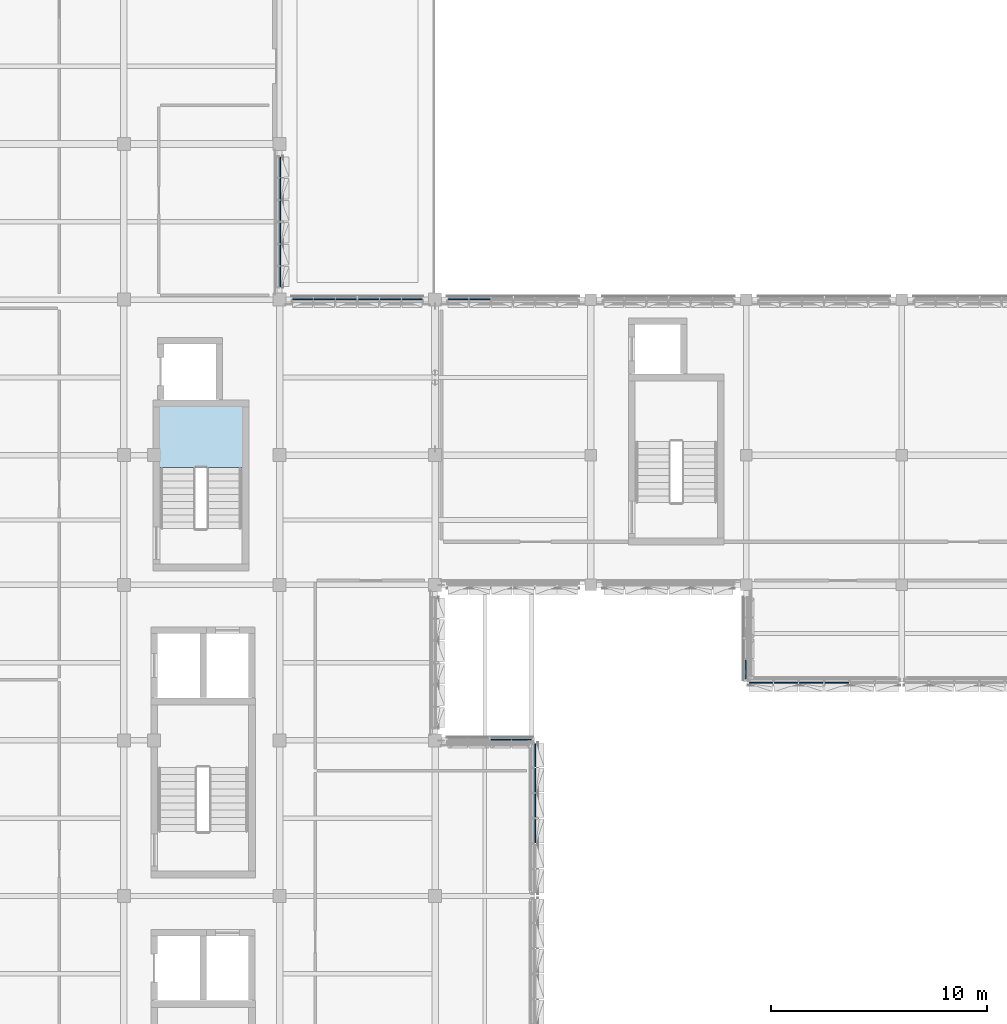
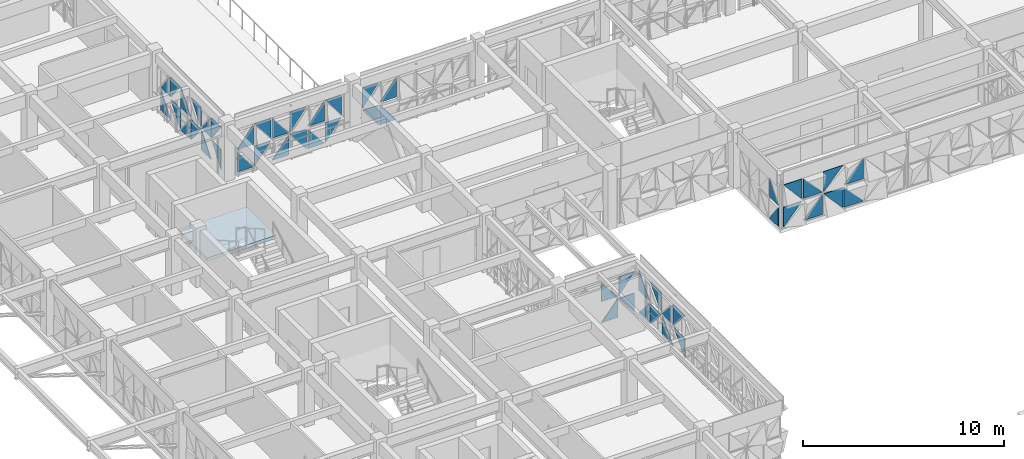
# One storey, part 37 of 99: 50 plates, 1 slab, 8 elements without a shape of their own.
"""IFC4 building model written with IfcOpenShell, lengths in metres."""

from ifc_helpers import new_model, si_unit, direction, frame, origin, place, context, subcontext, project, spatial, polyline, outline, extrude, material, layer, layer_set, type_object, element, aggregate, save


model = new_model("IFC4")

# Units and contexts
model_context = context("Model", 3, precision=1e-05, world=origin(), true_north=direction((0.0, 1.0)))
body_context = subcontext(model_context, "Body", "Model", "MODEL_VIEW")
ifc_project = project(units=[si_unit("LENGTHUNIT", "METRE"), si_unit("AREAUNIT", "SQUARE_METRE"), si_unit("VOLUMEUNIT", "CUBIC_METRE"), si_unit("PLANEANGLEUNIT", "RADIAN"), si_unit("MASSUNIT", "GRAM", prefix="KILO")], contexts=[model_context])

# Site, building, storey
site_placement = place(None, origin())
site = spatial("IfcSite", under=ifc_project, at=site_placement, CompositionType="ELEMENT")
building_placement = place(site_placement, origin())
building = spatial("IfcBuilding", under=site, at=building_placement, Name="Alvorim Cloister Faculty of Sciences", CompositionType="ELEMENT")
storey_placement = place(building_placement, frame((0.0, 0.0, 12.14990234375)))
storey = spatial("IfcBuildingStorey", under=building, at=storey_placement, Name="L03", CompositionType="ELEMENT", Elevation=12.14990234375)

# Curtain wall, plates
ifc_material_1 = material(Name="Aluminium and Low-E Glass Curtain Wall", Category="aluminium")
curtain_wall_type_1 = type_object("IfcCurtainWallType", Name="CW-TRI-6120x2850", PredefinedType="USERDEFINED", material=ifc_material_1)
curtain_wall_1_placement = place(storey_placement, origin())
curtain_wall_1 = element("IfcCurtainWall", 1, at=curtain_wall_1_placement, inside=storey, type_object=curtain_wall_type_1, Name="L03 Diagonal Cassette Curtain Wall CW-0123", ObjectType="UNITISED CURTAIN WALL", PredefinedType="USERDEFINED")
ifc_material_2 = material(Name="Double Low-E Laminated Glass", Category="glass")
ifc_layer_1 = layer(ifc_material_2, 0.0400390625)
ifc_layer_set_1 = layer_set([ifc_layer_1], Name="Double Low-E Laminated Glass")
plate_type = type_object("IfcPlateType", Name="PN-GLZ-40", PredefinedType="CURTAIN_PANEL", material=ifc_layer_set_1)
plate_1_placement = place(storey_placement, frame((21.625, 57.0048828125, 0.14013671875), z_axis=(0.0, 0.0, 1.0), x_axis=(0.0, 1.0, 0.0)))
plate_1 = element("IfcPlate", 2, at=plate_1_placement, type_object=plate_type, Name="Diagonal Glazed Triangle TRI-TL", PredefinedType="CURTAIN_PANEL", context=body_context, shape_type="SweptSolid", body=[
    extrude(outline(polyline([(0.920654296875, 1.21484375), (0.0, 1.21484375), (0.0, 0.001953125), (0.920654296875, 1.21484375)])), frame((0.0, 0.02490234375, 0.0), z_axis=(0.0, -1.0, 0.0), x_axis=(1.0, 0.0, 0.0)), (0.0, 0.0, 1.0), 0.050048828125),
])
plate_2_placement = place(storey_placement, frame((21.625, 57.0048828125, 1.4951171875), z_axis=(0.0, 0.0, 1.0), x_axis=(0.0, 1.0, 0.0)))
plate_2 = element("IfcPlate", 3, at=plate_2_placement, type_object=plate_type, Name="Diagonal Glazed Triangle TRI-TR", PredefinedType="CURTAIN_PANEL", context=body_context, shape_type="SweptSolid", body=[
    extrude(outline(polyline([(0.922607421875, 0.001953125), (0.922607421875, 1.215087890625), (0.001953125, 1.215087890625), (0.922607421875, 0.001953125)])), frame((0.0, 0.02490234375, 0.0), z_axis=(0.0, -1.0, 0.0), x_axis=(1.0, 0.0, 0.0)), (0.0, 0.0, 1.0), 0.050048828125),
])
plate_3_placement = place(storey_placement, frame((21.625, 57.992431640625, 0.14013671875), z_axis=(0.0, 0.0, 1.0), x_axis=(0.0, 1.0, 0.0)))
plate_3 = element("IfcPlate", 4, at=plate_3_placement, type_object=plate_type, Name="Diagonal Glazed Triangle TRI-BR", PredefinedType="CURTAIN_PANEL", context=body_context, shape_type="SweptSolid", body=[
    extrude(outline(polyline([(0.001953125, 0.0), (0.955078125, 0.0), (0.955078125, 1.212890625), (0.001953125, 0.0)])), frame((0.0, 0.02490234375, 0.0), z_axis=(0.0, -1.0, 0.0), x_axis=(1.0, 0.0, 0.0)), (0.0, 0.0, 1.0), 0.050048828125),
])
plate_4_placement = place(storey_placement, frame((21.625, 57.992431640625, 1.4951171875), z_axis=(0.0, 0.0, 1.0), x_axis=(0.0, 1.0, 0.0)))
plate_4 = element("IfcPlate", 5, at=plate_4_placement, type_object=plate_type, Name="Diagonal Glazed Triangle TRI-BL", PredefinedType="CURTAIN_PANEL", context=body_context, shape_type="SweptSolid", body=[
    extrude(outline(polyline([(0.0, 0.0), (0.953125, 0.0), (0.0, 1.213134765625), (0.0, 0.0)])), frame((0.0, 0.02490234375, 0.0), z_axis=(0.0, -1.0, 0.0), x_axis=(1.0, 0.0, 0.0)), (0.0, 0.0, 1.0), 0.050048828125),
])
plate_5_placement = place(storey_placement, frame((21.625, 59.012451171875, 0.14013671875), z_axis=(0.0, 0.0, 1.0), x_axis=(0.0, 1.0, 0.0)))
plate_5 = element("IfcPlate", 6, at=plate_5_placement, type_object=plate_type, Name="Diagonal Glazed Triangle TRI-TR", PredefinedType="CURTAIN_PANEL", context=body_context, shape_type="SweptSolid", body=[
    extrude(outline(polyline([(0.955078125, 0.001953125), (0.955078125, 1.21484375), (0.001953125, 1.21484375), (0.955078125, 0.001953125)])), frame((0.0, 0.02490234375, 0.0), z_axis=(0.0, -1.0, 0.0), x_axis=(1.0, 0.0, 0.0)), (0.0, 0.0, 1.0), 0.050048828125),
])
plate_6_placement = place(storey_placement, frame((21.625, 59.012451171875, 1.4951171875), z_axis=(0.0, 0.0, 1.0), x_axis=(0.0, 1.0, 0.0)))
plate_6 = element("IfcPlate", 7, at=plate_6_placement, type_object=plate_type, Name="Diagonal Glazed Triangle TRI-TL", PredefinedType="CURTAIN_PANEL", context=body_context, shape_type="SweptSolid", body=[
    extrude(outline(polyline([(0.953125, 1.215087890625), (0.0, 1.215087890625), (0.0, 0.001953125), (0.953125, 1.215087890625)])), frame((0.0, 0.02490234375, 0.0), z_axis=(0.0, -1.0, 0.0), x_axis=(1.0, 0.0, 0.0)), (0.0, 0.0, 1.0), 0.050048828125),
])
plate_7_placement = place(storey_placement, frame((21.625, 60.032470703125, 0.14013671875), z_axis=(0.0, 0.0, 1.0), x_axis=(0.0, 1.0, 0.0)))
plate_7 = element("IfcPlate", 8, at=plate_7_placement, type_object=plate_type, Name="Diagonal Glazed Triangle TRI-BL", PredefinedType="CURTAIN_PANEL", context=body_context, shape_type="SweptSolid", body=[
    extrude(outline(polyline([(0.0, 0.0), (0.953125, 0.0), (0.0, 1.212890625), (0.0, 0.0)])), frame((0.0, 0.02490234375, 0.0), z_axis=(0.0, -1.0, 0.0), x_axis=(1.0, 0.0, 0.0)), (0.0, 0.0, 1.0), 0.050048828125),
])
plate_8_placement = place(storey_placement, frame((21.625, 60.032470703125, 1.4951171875), z_axis=(0.0, 0.0, 1.0), x_axis=(0.0, 1.0, 0.0)))
plate_8 = element("IfcPlate", 9, at=plate_8_placement, type_object=plate_type, Name="Diagonal Glazed Triangle TRI-BR", PredefinedType="CURTAIN_PANEL", context=body_context, shape_type="SweptSolid", body=[
    extrude(outline(polyline([(0.001953125, 0.0), (0.955078125, 0.0), (0.955078125, 1.213134765625), (0.001953125, 0.0)])), frame((0.0, 0.02490234375, 0.0), z_axis=(0.0, -1.0, 0.0), x_axis=(1.0, 0.0, 0.0)), (0.0, 0.0, 1.0), 0.050048828125),
])
plate_9_placement = place(storey_placement, frame((21.625, 61.052490234375, 0.14013671875), z_axis=(0.0, 0.0, 1.0), x_axis=(0.0, 1.0, 0.0)))
plate_9 = element("IfcPlate", 10, at=plate_9_placement, type_object=plate_type, Name="Diagonal Glazed Triangle TRI-TL", PredefinedType="CURTAIN_PANEL", context=body_context, shape_type="SweptSolid", body=[
    extrude(outline(polyline([(0.953125, 1.21484375), (0.0, 1.21484375), (0.0, 0.001953125), (0.953125, 1.21484375)])), frame((0.0, 0.02490234375, 0.0), z_axis=(0.0, -1.0, 0.0), x_axis=(1.0, 0.0, 0.0)), (0.0, 0.0, 1.0), 0.050048828125),
])
plate_10_placement = place(storey_placement, frame((21.625, 61.052490234375, 1.4951171875), z_axis=(0.0, 0.0, 1.0), x_axis=(0.0, 1.0, 0.0)))
plate_10 = element("IfcPlate", 11, at=plate_10_placement, type_object=plate_type, Name="Diagonal Glazed Triangle TRI-TR", PredefinedType="CURTAIN_PANEL", context=body_context, shape_type="SweptSolid", body=[
    extrude(outline(polyline([(0.955078125, 0.001953125), (0.955078125, 1.215087890625), (0.001953125, 1.215087890625), (0.955078125, 0.001953125)])), frame((0.0, 0.02490234375, 0.0), z_axis=(0.0, -1.0, 0.0), x_axis=(1.0, 0.0, 0.0)), (0.0, 0.0, 1.0), 0.050048828125),
])
plate_11_placement = place(storey_placement, frame((21.625, 62.072509765625, 0.14013671875), z_axis=(0.0, 0.0, 1.0), x_axis=(0.0, 1.0, 0.0)))
plate_11 = element("IfcPlate", 12, at=plate_11_placement, type_object=plate_type, Name="Diagonal Glazed Triangle TRI-BR", PredefinedType="CURTAIN_PANEL", context=body_context, shape_type="SweptSolid", body=[
    extrude(outline(polyline([(0.001953125, 0.0), (0.922607421875, 0.0), (0.922607421875, 1.212890625), (0.001953125, 0.0)])), frame((0.0, 0.02490234375, 0.0), z_axis=(0.0, -1.0, 0.0), x_axis=(1.0, 0.0, 0.0)), (0.0, 0.0, 1.0), 0.050048828125),
])
plate_12_placement = place(storey_placement, frame((21.625, 62.072509765625, 1.4951171875), z_axis=(0.0, 0.0, 1.0), x_axis=(0.0, 1.0, 0.0)))
plate_12 = element("IfcPlate", 13, at=plate_12_placement, type_object=plate_type, Name="Diagonal Glazed Triangle TRI-BL", PredefinedType="CURTAIN_PANEL", context=body_context, shape_type="SweptSolid", body=[
    extrude(outline(polyline([(0.0, 0.0), (0.920654296875, 0.0), (0.0, 1.213134765625), (0.0, 0.0)])), frame((0.0, 0.02490234375, 0.0), z_axis=(0.0, -1.0, 0.0), x_axis=(1.0, 0.0, 0.0)), (0.0, 0.0, 1.0), 0.050048828125),
])
aggregate(curtain_wall_1, [plate_1, plate_2, plate_3, plate_4, plate_5, plate_6, plate_7, plate_8, plate_9, plate_10, plate_11, plate_12])

curtain_wall_2_placement = place(storey_placement, origin())
curtain_wall_2 = element("IfcCurtainWall", 14, at=curtain_wall_2_placement, inside=storey, type_object=curtain_wall_type_1, Name="L03 Diagonal Cassette Curtain Wall CW-0124", ObjectType="UNITISED CURTAIN WALL", PredefinedType="USERDEFINED")
plate_13_placement = place(storey_placement, frame((22.205078125, 56.425048828125, 0.14013671875), z_axis=(0.0, 0.0, 1.0), x_axis=(1.0, 0.0, 0.0)))
plate_13 = element("IfcPlate", 15, at=plate_13_placement, type_object=plate_type, Name="Diagonal Glazed Triangle TRI-BL", PredefinedType="CURTAIN_PANEL", context=body_context, shape_type="SweptSolid", body=[
    extrude(outline(polyline([(0.0, 0.0), (0.920654296875, 0.0), (0.0, 1.212890625), (0.0, 0.0)])), frame((0.0, 0.02490234375, 0.0), z_axis=(0.0, -1.0, 0.0), x_axis=(1.0, 0.0, 0.0)), (0.0, 0.0, 1.0), 0.050048828125),
])
plate_14_placement = place(storey_placement, frame((22.205078125, 56.425048828125, 1.4951171875), z_axis=(0.0, 0.0, 1.0), x_axis=(1.0, 0.0, 0.0)))
plate_14 = element("IfcPlate", 16, at=plate_14_placement, type_object=plate_type, Name="Diagonal Glazed Triangle TRI-BR", PredefinedType="CURTAIN_PANEL", context=body_context, shape_type="SweptSolid", body=[
    extrude(outline(polyline([(0.001953125, 0.0), (0.922607421875, 0.0), (0.922607421875, 1.213134765625), (0.001953125, 0.0)])), frame((0.0, 0.02490234375, 0.0), z_axis=(0.0, -1.0, 0.0), x_axis=(1.0, 0.0, 0.0)), (0.0, 0.0, 1.0), 0.050048828125),
])
plate_15_placement = place(storey_placement, frame((23.1923828125, 56.425048828125, 0.14013671875), z_axis=(0.0, 0.0, 1.0), x_axis=(1.0, 0.0, 0.0)))
plate_15 = element("IfcPlate", 17, at=plate_15_placement, type_object=plate_type, Name="Diagonal Glazed Triangle TRI-TL", PredefinedType="CURTAIN_PANEL", context=body_context, shape_type="SweptSolid", body=[
    extrude(outline(polyline([(0.953125, 1.21484375), (0.0, 1.21484375), (0.0, 0.001953125), (0.953125, 1.21484375)])), frame((0.0, 0.02490234375, 0.0), z_axis=(0.0, -1.0, 0.0), x_axis=(1.0, 0.0, 0.0)), (0.0, 0.0, 1.0), 0.050048828125),
])
plate_16_placement = place(storey_placement, frame((23.1923828125, 56.425048828125, 1.4951171875), z_axis=(0.0, 0.0, 1.0), x_axis=(1.0, 0.0, 0.0)))
plate_16 = element("IfcPlate", 18, at=plate_16_placement, type_object=plate_type, Name="Diagonal Glazed Triangle TRI-TR", PredefinedType="CURTAIN_PANEL", context=body_context, shape_type="SweptSolid", body=[
    extrude(outline(polyline([(0.955078125, 0.001953125), (0.955078125, 1.215087890625), (0.001953125, 1.215087890625), (0.955078125, 0.001953125)])), frame((0.0, 0.02490234375, 0.0), z_axis=(0.0, -1.0, 0.0), x_axis=(1.0, 0.0, 0.0)), (0.0, 0.0, 1.0), 0.050048828125),
])
plate_17_placement = place(storey_placement, frame((24.21240234375, 56.425048828125, 0.14013671875), z_axis=(0.0, 0.0, 1.0), x_axis=(1.0, 0.0, 0.0)))
plate_17 = element("IfcPlate", 19, at=plate_17_placement, type_object=plate_type, Name="Diagonal Glazed Triangle TRI-BR", PredefinedType="CURTAIN_PANEL", context=body_context, shape_type="SweptSolid", body=[
    extrude(outline(polyline([(0.001953125, 0.0), (0.955078125, 0.0), (0.955078125, 1.212890625), (0.001953125, 0.0)])), frame((0.0, 0.02490234375, 0.0), z_axis=(0.0, -1.0, 0.0), x_axis=(1.0, 0.0, 0.0)), (0.0, 0.0, 1.0), 0.050048828125),
])
plate_18_placement = place(storey_placement, frame((24.21240234375, 56.425048828125, 1.4951171875), z_axis=(0.0, 0.0, 1.0), x_axis=(1.0, 0.0, 0.0)))
plate_18 = element("IfcPlate", 20, at=plate_18_placement, type_object=plate_type, Name="Diagonal Glazed Triangle TRI-BL", PredefinedType="CURTAIN_PANEL", context=body_context, shape_type="SweptSolid", body=[
    extrude(outline(polyline([(0.0, 0.0), (0.953125, 0.0), (0.0, 1.213134765625), (0.0, 0.0)])), frame((0.0, 0.02490234375, 0.0), z_axis=(0.0, -1.0, 0.0), x_axis=(1.0, 0.0, 0.0)), (0.0, 0.0, 1.0), 0.050048828125),
])
plate_19_placement = place(storey_placement, frame((25.232421875, 56.425048828125, 0.14013671875), z_axis=(0.0, 0.0, 1.0), x_axis=(1.0, 0.0, 0.0)))
plate_19 = element("IfcPlate", 21, at=plate_19_placement, type_object=plate_type, Name="Diagonal Glazed Triangle TRI-TR", PredefinedType="CURTAIN_PANEL", context=body_context, shape_type="SweptSolid", body=[
    extrude(outline(polyline([(0.955078125, 0.001953125), (0.955078125, 1.21484375), (0.001953125, 1.21484375), (0.955078125, 0.001953125)])), frame((0.0, 0.02490234375, 0.0), z_axis=(0.0, -1.0, 0.0), x_axis=(1.0, 0.0, 0.0)), (0.0, 0.0, 1.0), 0.050048828125),
])
plate_20_placement = place(storey_placement, frame((25.232421875, 56.425048828125, 1.4951171875), z_axis=(0.0, 0.0, 1.0), x_axis=(1.0, 0.0, 0.0)))
plate_20 = element("IfcPlate", 22, at=plate_20_placement, type_object=plate_type, Name="Diagonal Glazed Triangle TRI-TL", PredefinedType="CURTAIN_PANEL", context=body_context, shape_type="SweptSolid", body=[
    extrude(outline(polyline([(0.953125, 1.215087890625), (0.0, 1.215087890625), (0.0, 0.001953125), (0.953125, 1.215087890625)])), frame((0.0, 0.02490234375, 0.0), z_axis=(0.0, -1.0, 0.0), x_axis=(1.0, 0.0, 0.0)), (0.0, 0.0, 1.0), 0.050048828125),
])
plate_21_placement = place(storey_placement, frame((26.25244140625, 56.425048828125, 0.14013671875), z_axis=(0.0, 0.0, 1.0), x_axis=(1.0, 0.0, 0.0)))
plate_21 = element("IfcPlate", 23, at=plate_21_placement, type_object=plate_type, Name="Diagonal Glazed Triangle TRI-BL", PredefinedType="CURTAIN_PANEL", context=body_context, shape_type="SweptSolid", body=[
    extrude(outline(polyline([(0.0, 0.0), (0.953125, 0.0), (0.0, 1.212890625), (0.0, 0.0)])), frame((0.0, 0.02490234375, 0.0), z_axis=(0.0, -1.0, 0.0), x_axis=(1.0, 0.0, 0.0)), (0.0, 0.0, 1.0), 0.050048828125),
])
plate_22_placement = place(storey_placement, frame((26.25244140625, 56.425048828125, 1.4951171875), z_axis=(0.0, 0.0, 1.0), x_axis=(1.0, 0.0, 0.0)))
plate_22 = element("IfcPlate", 24, at=plate_22_placement, type_object=plate_type, Name="Diagonal Glazed Triangle TRI-BR", PredefinedType="CURTAIN_PANEL", context=body_context, shape_type="SweptSolid", body=[
    extrude(outline(polyline([(0.001953125, 0.0), (0.955078125, 0.0), (0.955078125, 1.213134765625), (0.001953125, 0.0)])), frame((0.0, 0.02490234375, 0.0), z_axis=(0.0, -1.0, 0.0), x_axis=(1.0, 0.0, 0.0)), (0.0, 0.0, 1.0), 0.050048828125),
])
plate_23_placement = place(storey_placement, frame((27.2724609375, 56.425048828125, 0.14013671875), z_axis=(0.0, 0.0, 1.0), x_axis=(1.0, 0.0, 0.0)))
plate_23 = element("IfcPlate", 25, at=plate_23_placement, type_object=plate_type, Name="Diagonal Glazed Triangle TRI-TL", PredefinedType="CURTAIN_PANEL", context=body_context, shape_type="SweptSolid", body=[
    extrude(outline(polyline([(0.920654296875, 1.21484375), (0.0, 1.21484375), (0.0, 0.001953125), (0.920654296875, 1.21484375)])), frame((0.0, 0.02490234375, 0.0), z_axis=(0.0, -1.0, 0.0), x_axis=(1.0, 0.0, 0.0)), (0.0, 0.0, 1.0), 0.050048828125),
])
plate_24_placement = place(storey_placement, frame((27.2724609375, 56.425048828125, 1.4951171875), z_axis=(0.0, 0.0, 1.0), x_axis=(1.0, 0.0, 0.0)))
plate_24 = element("IfcPlate", 26, at=plate_24_placement, type_object=plate_type, Name="Diagonal Glazed Triangle TRI-TR", PredefinedType="CURTAIN_PANEL", context=body_context, shape_type="SweptSolid", body=[
    extrude(outline(polyline([(0.922607421875, 0.001953125), (0.922607421875, 1.215087890625), (0.001953125, 1.215087890625), (0.922607421875, 0.001953125)])), frame((0.0, 0.02490234375, 0.0), z_axis=(0.0, -1.0, 0.0), x_axis=(1.0, 0.0, 0.0)), (0.0, 0.0, 1.0), 0.050048828125),
])
aggregate(curtain_wall_2, [plate_13, plate_14, plate_15, plate_16, plate_17, plate_18, plate_19, plate_20, plate_21, plate_22, plate_23, plate_24])

curtain_wall_3_placement = place(storey_placement, origin())
curtain_wall_3 = element("IfcCurtainWall", 27, at=curtain_wall_3_placement, inside=storey, type_object=curtain_wall_type_1, Name="L03 Diagonal Cassette Curtain Wall CW-0125", ObjectType="UNITISED CURTAIN WALL", PredefinedType="USERDEFINED")
plate_25_placement = place(storey_placement, frame((29.405029296875, 56.425048828125, 0.14013671875), z_axis=(0.0, 0.0, 1.0), x_axis=(1.0, 0.0, 0.0)))
plate_25 = element("IfcPlate", 28, at=plate_25_placement, type_object=plate_type, Name="Diagonal Glazed Triangle TRI-TR", PredefinedType="CURTAIN_PANEL", context=body_context, shape_type="SweptSolid", body=[
    extrude(outline(polyline([(0.922607421875, 0.001953125), (0.922607421875, 1.21484375), (0.001953125, 1.21484375), (0.922607421875, 0.001953125)])), frame((0.0, 0.02490234375, 0.0), z_axis=(0.0, -1.0, 0.0), x_axis=(1.0, 0.0, 0.0)), (0.0, 0.0, 1.0), 0.050048828125),
])
plate_26_placement = place(storey_placement, frame((29.405029296875, 56.425048828125, 1.4951171875), z_axis=(0.0, 0.0, 1.0), x_axis=(1.0, 0.0, 0.0)))
plate_26 = element("IfcPlate", 29, at=plate_26_placement, type_object=plate_type, Name="Diagonal Glazed Triangle TRI-TL", PredefinedType="CURTAIN_PANEL", context=body_context, shape_type="SweptSolid", body=[
    extrude(outline(polyline([(0.920654296875, 1.215087890625), (0.0, 1.215087890625), (0.0, 0.001953125), (0.920654296875, 1.215087890625)])), frame((0.0, 0.02490234375, 0.0), z_axis=(0.0, -1.0, 0.0), x_axis=(1.0, 0.0, 0.0)), (0.0, 0.0, 1.0), 0.050048828125),
])
plate_27_placement = place(storey_placement, frame((30.392578125, 56.425048828125, 0.14013671875), z_axis=(0.0, 0.0, 1.0), x_axis=(1.0, 0.0, 0.0)))
plate_27 = element("IfcPlate", 30, at=plate_27_placement, type_object=plate_type, Name="Diagonal Glazed Triangle TRI-BL", PredefinedType="CURTAIN_PANEL", context=body_context, shape_type="SweptSolid", body=[
    extrude(outline(polyline([(0.0, 0.0), (0.953125, 0.0), (0.0, 1.212890625), (0.0, 0.0)])), frame((0.0, 0.02490234375, 0.0), z_axis=(0.0, -1.0, 0.0), x_axis=(1.0, 0.0, 0.0)), (0.0, 0.0, 1.0), 0.050048828125),
])
plate_28_placement = place(storey_placement, frame((30.392578125, 56.425048828125, 1.4951171875), z_axis=(0.0, 0.0, 1.0), x_axis=(1.0, 0.0, 0.0)))
plate_28 = element("IfcPlate", 31, at=plate_28_placement, type_object=plate_type, Name="Diagonal Glazed Triangle TRI-BR", PredefinedType="CURTAIN_PANEL", context=body_context, shape_type="SweptSolid", body=[
    extrude(outline(polyline([(0.001953125, 0.0), (0.955078125, 0.0), (0.955078125, 1.213134765625), (0.001953125, 0.0)])), frame((0.0, 0.02490234375, 0.0), z_axis=(0.0, -1.0, 0.0), x_axis=(1.0, 0.0, 0.0)), (0.0, 0.0, 1.0), 0.050048828125),
])
aggregate(curtain_wall_3, [plate_25, plate_26, plate_27, plate_28])

curtain_wall_type_2 = type_object("IfcCurtainWallType", Name="CW-TRI-7040x2857", PredefinedType="USERDEFINED", material=ifc_material_1)
curtain_wall_4_placement = place(storey_placement, origin())
curtain_wall_4 = element("IfcCurtainWall", 32, at=curtain_wall_4_placement, inside=storey, type_object=curtain_wall_type_2, Name="L03 Diagonal Cassette Curtain Wall CW-0135", ObjectType="UNITISED CURTAIN WALL", PredefinedType="USERDEFINED")
plate_29_placement = place(storey_placement, frame((43.344970703125, 38.675048828125, 0.14013671875), z_axis=(0.0, 0.0, 1.0), x_axis=(1.0, 0.0, 0.0)))
plate_29 = element("IfcPlate", 33, at=plate_29_placement, type_object=plate_type, Name="Diagonal Glazed Triangle TRI-TL", PredefinedType="CURTAIN_PANEL", context=body_context, shape_type="SweptSolid", body=[
    extrude(outline(polyline([(1.073974609375, 1.218505859375), (0.0, 1.218505859375), (0.0, 0.001953125), (1.073974609375, 1.218505859375)])), frame((0.0, 0.02490234375, 0.0), z_axis=(0.0, -1.0, 0.0), x_axis=(1.0, 0.0, 0.0)), (0.0, 0.0, 1.0), 0.050048828125),
])
plate_30_placement = place(storey_placement, frame((43.344970703125, 38.675048828125, 1.49853515625), z_axis=(0.0, 0.0, 1.0), x_axis=(1.0, 0.0, 0.0)))
plate_30 = element("IfcPlate", 34, at=plate_30_placement, type_object=plate_type, Name="Diagonal Glazed Triangle TRI-TR", PredefinedType="CURTAIN_PANEL", context=body_context, shape_type="SweptSolid", body=[
    extrude(outline(polyline([(1.075927734375, 0.001953125), (1.075927734375, 1.218505859375), (0.001953125, 1.218505859375), (1.075927734375, 0.001953125)])), frame((0.0, 0.02490234375, 0.0), z_axis=(0.0, -1.0, 0.0), x_axis=(1.0, 0.0, 0.0)), (0.0, 0.0, 1.0), 0.050048828125),
])
plate_31_placement = place(storey_placement, frame((44.48583984375, 38.675048828125, 0.14013671875), z_axis=(0.0, 0.0, 1.0), x_axis=(1.0, 0.0, 0.0)))
plate_31 = element("IfcPlate", 35, at=plate_31_placement, type_object=plate_type, Name="Diagonal Glazed Triangle TRI-BR", PredefinedType="CURTAIN_PANEL", context=body_context, shape_type="SweptSolid", body=[
    extrude(outline(polyline([(0.001953125, 0.0), (1.1083984375, 0.0), (1.1083984375, 1.216552734375), (0.001953125, 0.0)])), frame((0.0, 0.02490234375, 0.0), z_axis=(0.0, -1.0, 0.0), x_axis=(1.0, 0.0, 0.0)), (0.0, 0.0, 1.0), 0.050048828125),
])
plate_32_placement = place(storey_placement, frame((44.48583984375, 38.675048828125, 1.49853515625), z_axis=(0.0, 0.0, 1.0), x_axis=(1.0, 0.0, 0.0)))
plate_32 = element("IfcPlate", 36, at=plate_32_placement, type_object=plate_type, Name="Diagonal Glazed Triangle TRI-BL", PredefinedType="CURTAIN_PANEL", context=body_context, shape_type="SweptSolid", body=[
    extrude(outline(polyline([(0.0, 0.0), (1.1064453125, 0.0), (0.0, 1.216552734375), (0.0, 0.0)])), frame((0.0, 0.02490234375, 0.0), z_axis=(0.0, -1.0, 0.0), x_axis=(1.0, 0.0, 0.0)), (0.0, 0.0, 1.0), 0.050048828125),
])
plate_33_placement = place(storey_placement, frame((45.6591796875, 38.675048828125, 0.14013671875), z_axis=(0.0, 0.0, 1.0), x_axis=(1.0, 0.0, 0.0)))
plate_33 = element("IfcPlate", 37, at=plate_33_placement, type_object=plate_type, Name="Diagonal Glazed Triangle TRI-TR", PredefinedType="CURTAIN_PANEL", context=body_context, shape_type="SweptSolid", body=[
    extrude(outline(polyline([(1.1083984375, 0.001953125), (1.1083984375, 1.218505859375), (0.001953125, 1.218505859375), (1.1083984375, 0.001953125)])), frame((0.0, 0.02490234375, 0.0), z_axis=(0.0, -1.0, 0.0), x_axis=(1.0, 0.0, 0.0)), (0.0, 0.0, 1.0), 0.050048828125),
])
plate_34_placement = place(storey_placement, frame((45.6591796875, 38.675048828125, 1.49853515625), z_axis=(0.0, 0.0, 1.0), x_axis=(1.0, 0.0, 0.0)))
plate_34 = element("IfcPlate", 38, at=plate_34_placement, type_object=plate_type, Name="Diagonal Glazed Triangle TRI-TL", PredefinedType="CURTAIN_PANEL", context=body_context, shape_type="SweptSolid", body=[
    extrude(outline(polyline([(1.1064453125, 1.218505859375), (0.0, 1.218505859375), (0.0, 0.001953125), (1.1064453125, 1.218505859375)])), frame((0.0, 0.02490234375, 0.0), z_axis=(0.0, -1.0, 0.0), x_axis=(1.0, 0.0, 0.0)), (0.0, 0.0, 1.0), 0.050048828125),
])
plate_35_placement = place(storey_placement, frame((46.83251953125, 38.675048828125, 0.14013671875), z_axis=(0.0, 0.0, 1.0), x_axis=(1.0, 0.0, 0.0)))
plate_35 = element("IfcPlate", 39, at=plate_35_placement, type_object=plate_type, Name="Diagonal Glazed Triangle TRI-BL", PredefinedType="CURTAIN_PANEL", context=body_context, shape_type="SweptSolid", body=[
    extrude(outline(polyline([(0.0, 0.0), (1.1064453125, 0.0), (0.0, 1.216552734375), (0.0, 0.0)])), frame((0.0, 0.02490234375, 0.0), z_axis=(0.0, -1.0, 0.0), x_axis=(1.0, 0.0, 0.0)), (0.0, 0.0, 1.0), 0.050048828125),
])
plate_36_placement = place(storey_placement, frame((46.83251953125, 38.675048828125, 1.49853515625), z_axis=(0.0, 0.0, 1.0), x_axis=(1.0, 0.0, 0.0)))
plate_36 = element("IfcPlate", 40, at=plate_36_placement, type_object=plate_type, Name="Diagonal Glazed Triangle TRI-BR", PredefinedType="CURTAIN_PANEL", context=body_context, shape_type="SweptSolid", body=[
    extrude(outline(polyline([(0.001953125, 0.0), (1.1083984375, 0.0), (1.1083984375, 1.216552734375), (0.001953125, 0.0)])), frame((0.0, 0.02490234375, 0.0), z_axis=(0.0, -1.0, 0.0), x_axis=(1.0, 0.0, 0.0)), (0.0, 0.0, 1.0), 0.050048828125),
])
aggregate(curtain_wall_4, [plate_29, plate_30, plate_31, plate_32, plate_33, plate_34, plate_35, plate_36])

curtain_wall_type_3 = type_object("IfcCurtainWallType", Name="CW-TRI-3880x2706", PredefinedType="USERDEFINED", material=ifc_material_1)
curtain_wall_5_placement = place(storey_placement, origin())
curtain_wall_5 = element("IfcCurtainWall", 41, at=curtain_wall_5_placement, inside=storey, type_object=curtain_wall_type_3, Name="L03 Diagonal Cassette Curtain Wall CW-0136", ObjectType="UNITISED CURTAIN WALL", PredefinedType="USERDEFINED")
plate_37_placement = place(storey_placement, frame((43.175048828125, 38.844970703125, 0.14013671875), z_axis=(0.0, 0.0, 1.0), x_axis=(0.0, 1.0, 0.0)))
plate_37 = element("IfcPlate", 42, at=plate_37_placement, type_object=plate_type, Name="Diagonal Glazed Triangle TRI-BL", PredefinedType="CURTAIN_PANEL", context=body_context, shape_type="SweptSolid", body=[
    extrude(outline(polyline([(0.0, 0.0), (0.87060546875, 0.0), (0.0, 1.14111328125), (0.0, 0.0)])), frame((0.0, 0.02490234375, 0.0), z_axis=(0.0, -1.0, 0.0), x_axis=(1.0, 0.0, 0.0)), (0.0, 0.0, 1.0), 0.050048828125),
])
plate_38_placement = place(storey_placement, frame((43.175048828125, 38.844970703125, 1.423095703125), z_axis=(0.0, 0.0, 1.0), x_axis=(0.0, 1.0, 0.0)))
plate_38 = element("IfcPlate", 43, at=plate_38_placement, type_object=plate_type, Name="Diagonal Glazed Triangle TRI-BR", PredefinedType="CURTAIN_PANEL", context=body_context, shape_type="SweptSolid", body=[
    extrude(outline(polyline([(0.001953125, 0.0), (0.87255859375, 0.0), (0.87255859375, 1.14111328125), (0.001953125, 0.0)])), frame((0.0, 0.02490234375, 0.0), z_axis=(0.0, -1.0, 0.0), x_axis=(1.0, 0.0, 0.0)), (0.0, 0.0, 1.0), 0.050048828125),
])
aggregate(curtain_wall_5, [plate_37, plate_38])

curtain_wall_type_4 = type_object("IfcCurtainWallType", Name="CW-TRI-3980x2706", PredefinedType="USERDEFINED", material=ifc_material_1)
curtain_wall_6_placement = place(storey_placement, origin())
curtain_wall_6 = element("IfcCurtainWall", 44, at=curtain_wall_6_placement, inside=storey, type_object=curtain_wall_type_4, Name="L03 Diagonal Cassette Curtain Wall CW-0140", ObjectType="UNITISED CURTAIN WALL", PredefinedType="USERDEFINED")
plate_39_placement = place(storey_placement, frame((31.362548828125, 36.02490234375, 0.14013671875), z_axis=(0.0, 0.0, 1.0), x_axis=(1.0, 0.0, 0.0)))
plate_39 = element("IfcPlate", 45, at=plate_39_placement, type_object=plate_type, Name="Diagonal Glazed Triangle TRI-BR", PredefinedType="CURTAIN_PANEL", context=body_context, shape_type="SweptSolid", body=[
    extrude(outline(polyline([(0.001953125, 0.0), (0.929931640625, 0.0), (0.929931640625, 1.14111328125), (0.001953125, 0.0)])), frame((0.0, 0.02490234375, 0.0), z_axis=(0.0, -1.0, 0.0), x_axis=(1.0, 0.0, 0.0)), (0.0, 0.0, 1.0), 0.050048828125),
])
plate_40_placement = place(storey_placement, frame((31.362548828125, 36.02490234375, 1.423095703125), z_axis=(0.0, 0.0, 1.0), x_axis=(1.0, 0.0, 0.0)))
plate_40 = element("IfcPlate", 46, at=plate_40_placement, type_object=plate_type, Name="Diagonal Glazed Triangle TRI-BL", PredefinedType="CURTAIN_PANEL", context=body_context, shape_type="SweptSolid", body=[
    extrude(outline(polyline([(0.0, 0.0), (0.927978515625, 0.0), (0.0, 1.14111328125), (0.0, 0.0)])), frame((0.0, 0.02490234375, 0.0), z_axis=(0.0, -1.0, 0.0), x_axis=(1.0, 0.0, 0.0)), (0.0, 0.0, 1.0), 0.050048828125),
])
plate_41_placement = place(storey_placement, frame((32.357421875, 36.02490234375, 0.14013671875), z_axis=(0.0, 0.0, 1.0), x_axis=(1.0, 0.0, 0.0)))
plate_41 = element("IfcPlate", 47, at=plate_41_placement, type_object=plate_type, Name="Diagonal Glazed Triangle TRI-TR", PredefinedType="CURTAIN_PANEL", context=body_context, shape_type="SweptSolid", body=[
    extrude(outline(polyline([(0.8974609375, 0.001953125), (0.8974609375, 1.14306640625), (0.001953125, 1.14306640625), (0.8974609375, 0.001953125)])), frame((0.0, 0.02490234375, 0.0), z_axis=(0.0, -1.0, 0.0), x_axis=(1.0, 0.0, 0.0)), (0.0, 0.0, 1.0), 0.050048828125),
])
plate_42_placement = place(storey_placement, frame((32.357421875, 36.02490234375, 1.423095703125), z_axis=(0.0, 0.0, 1.0), x_axis=(1.0, 0.0, 0.0)))
plate_42 = element("IfcPlate", 48, at=plate_42_placement, type_object=plate_type, Name="Diagonal Glazed Triangle TRI-TL", PredefinedType="CURTAIN_PANEL", context=body_context, shape_type="SweptSolid", body=[
    extrude(outline(polyline([(0.8955078125, 1.14306640625), (0.0, 1.14306640625), (0.0, 0.001953125), (0.8955078125, 1.14306640625)])), frame((0.0, 0.02490234375, 0.0), z_axis=(0.0, -1.0, 0.0), x_axis=(1.0, 0.0, 0.0)), (0.0, 0.0, 1.0), 0.050048828125),
])
aggregate(curtain_wall_6, [plate_39, plate_40, plate_41, plate_42])

curtain_wall_7_placement = place(storey_placement, origin())
curtain_wall_7 = element("IfcCurtainWall", 49, at=curtain_wall_7_placement, inside=storey, type_object=curtain_wall_type_2, Name="L03 Diagonal Cassette Curtain Wall CW-0141", ObjectType="UNITISED CURTAIN WALL", PredefinedType="USERDEFINED")
plate_43_placement = place(storey_placement, frame((33.425048828125, 31.25927734375, 0.14013671875), z_axis=(0.0, 0.0, 1.0), x_axis=(0.0, 1.0, 0.0)))
plate_43 = element("IfcPlate", 50, at=plate_43_placement, type_object=plate_type, Name="Diagonal Glazed Triangle TRI-TL", PredefinedType="CURTAIN_PANEL", context=body_context, shape_type="SweptSolid", body=[
    extrude(outline(polyline([(1.1064453125, 1.218505859375), (0.0, 1.218505859375), (0.0, 0.001953125), (1.1064453125, 1.218505859375)])), frame((0.0, 0.02490234375, 0.0), z_axis=(0.0, -1.0, 0.0), x_axis=(1.0, 0.0, 0.0)), (0.0, 0.0, 1.0), 0.050048828125),
])
plate_44_placement = place(storey_placement, frame((33.425048828125, 31.25927734375, 1.49853515625), z_axis=(0.0, 0.0, 1.0), x_axis=(0.0, 1.0, 0.0)))
plate_44 = element("IfcPlate", 51, at=plate_44_placement, type_object=plate_type, Name="Diagonal Glazed Triangle TRI-TR", PredefinedType="CURTAIN_PANEL", context=body_context, shape_type="SweptSolid", body=[
    extrude(outline(polyline([(1.1083984375, 0.001953125), (1.1083984375, 1.218505859375), (0.001953125, 1.218505859375), (1.1083984375, 0.001953125)])), frame((0.0, 0.02490234375, 0.0), z_axis=(0.0, -1.0, 0.0), x_axis=(1.0, 0.0, 0.0)), (0.0, 0.0, 1.0), 0.050048828125),
])
plate_45_placement = place(storey_placement, frame((33.425048828125, 32.4326171875, 0.14013671875), z_axis=(0.0, 0.0, 1.0), x_axis=(0.0, 1.0, 0.0)))
plate_45 = element("IfcPlate", 52, at=plate_45_placement, type_object=plate_type, Name="Diagonal Glazed Triangle TRI-BR", PredefinedType="CURTAIN_PANEL", context=body_context, shape_type="SweptSolid", body=[
    extrude(outline(polyline([(0.001953125, 0.0), (1.1083984375, 0.0), (1.1083984375, 1.216552734375), (0.001953125, 0.0)])), frame((0.0, 0.02490234375, 0.0), z_axis=(0.0, -1.0, 0.0), x_axis=(1.0, 0.0, 0.0)), (0.0, 0.0, 1.0), 0.050048828125),
])
plate_46_placement = place(storey_placement, frame((33.425048828125, 32.4326171875, 1.49853515625), z_axis=(0.0, 0.0, 1.0), x_axis=(0.0, 1.0, 0.0)))
plate_46 = element("IfcPlate", 53, at=plate_46_placement, type_object=plate_type, Name="Diagonal Glazed Triangle TRI-BL", PredefinedType="CURTAIN_PANEL", context=body_context, shape_type="SweptSolid", body=[
    extrude(outline(polyline([(0.0, 0.0), (1.1064453125, 0.0), (0.0, 1.216552734375), (0.0, 0.0)])), frame((0.0, 0.02490234375, 0.0), z_axis=(0.0, -1.0, 0.0), x_axis=(1.0, 0.0, 0.0)), (0.0, 0.0, 1.0), 0.050048828125),
])
plate_47_placement = place(storey_placement, frame((33.425048828125, 33.605712890625, 0.14013671875), z_axis=(0.0, 0.0, 1.0), x_axis=(0.0, 1.0, 0.0)))
plate_47 = element("IfcPlate", 54, at=plate_47_placement, type_object=plate_type, Name="Diagonal Glazed Triangle TRI-TR", PredefinedType="CURTAIN_PANEL", context=body_context, shape_type="SweptSolid", body=[
    extrude(outline(polyline([(1.1083984375, 0.001953125), (1.1083984375, 1.218505859375), (0.001953125, 1.218505859375), (1.1083984375, 0.001953125)])), frame((0.0, 0.02490234375, 0.0), z_axis=(0.0, -1.0, 0.0), x_axis=(1.0, 0.0, 0.0)), (0.0, 0.0, 1.0), 0.050048828125),
])
plate_48_placement = place(storey_placement, frame((33.425048828125, 33.605712890625, 1.49853515625), z_axis=(0.0, 0.0, 1.0), x_axis=(0.0, 1.0, 0.0)))
plate_48 = element("IfcPlate", 55, at=plate_48_placement, type_object=plate_type, Name="Diagonal Glazed Triangle TRI-TL", PredefinedType="CURTAIN_PANEL", context=body_context, shape_type="SweptSolid", body=[
    extrude(outline(polyline([(1.1064453125, 1.218505859375), (0.0, 1.218505859375), (0.0, 0.001953125), (1.1064453125, 1.218505859375)])), frame((0.0, 0.02490234375, 0.0), z_axis=(0.0, -1.0, 0.0), x_axis=(1.0, 0.0, 0.0)), (0.0, 0.0, 1.0), 0.050048828125),
])
plate_49_placement = place(storey_placement, frame((33.425048828125, 34.779052734375, 0.14013671875), z_axis=(0.0, 0.0, 1.0), x_axis=(0.0, 1.0, 0.0)))
plate_49 = element("IfcPlate", 56, at=plate_49_placement, type_object=plate_type, Name="Diagonal Glazed Triangle TRI-BL", PredefinedType="CURTAIN_PANEL", context=body_context, shape_type="SweptSolid", body=[
    extrude(outline(polyline([(0.0, 0.0), (1.073974609375, 0.0), (0.0, 1.216552734375), (0.0, 0.0)])), frame((0.0, 0.02490234375, 0.0), z_axis=(0.0, -1.0, 0.0), x_axis=(1.0, 0.0, 0.0)), (0.0, 0.0, 1.0), 0.050048828125),
])
plate_50_placement = place(storey_placement, frame((33.425048828125, 34.779052734375, 1.49853515625), z_axis=(0.0, 0.0, 1.0), x_axis=(0.0, 1.0, 0.0)))
plate_50 = element("IfcPlate", 57, at=plate_50_placement, type_object=plate_type, Name="Diagonal Glazed Triangle TRI-BR", PredefinedType="CURTAIN_PANEL", context=body_context, shape_type="SweptSolid", body=[
    extrude(outline(polyline([(0.001953125, 0.0), (1.075927734375, 0.0), (1.075927734375, 1.216552734375), (0.001953125, 0.0)])), frame((0.0, 0.02490234375, 0.0), z_axis=(0.0, -1.0, 0.0), x_axis=(1.0, 0.0, 0.0)), (0.0, 0.0, 1.0), 0.050048828125),
])
aggregate(curtain_wall_7, [plate_43, plate_44, plate_45, plate_46, plate_47, plate_48, plate_49, plate_50])

# Stair, slab
ifc_material_3 = material(Name="Concrete C40", Category="concrete")
stair_type = type_object("IfcStairType", Name="STR-ST-03-1600x3600", PredefinedType="HALF_TURN_STAIR", material=ifc_material_3)
stair_placement = place(storey_placement, origin())
stair = element("IfcStair", 58, at=stair_placement, inside=storey, type_object=stair_type, Name="L03 Enclosed Smoke-Proof Stair ST-03", PredefinedType="HALF_TURN_STAIR")
ifc_layer_2 = layer(ifc_material_3, 0.199951171875)
ifc_layer_set_2 = layer_set([ifc_layer_2], Name="Concrete C40")
slab_type = type_object("IfcSlabType", Name="SL-LAND-200", PredefinedType="LANDING", material=ifc_layer_set_2)
slab_placement = place(storey_placement, frame((0.0, 0.0, 1.60009765625)))
slab = element("IfcSlab", 59, at=slab_placement, type_object=slab_type, Name="ST-03 landing 1", PredefinedType="LANDING", context=body_context, shape_type="SweptSolid", body=[
    extrude(outline(polyline([(19.93994140625, 48.635009765625), (19.93994140625, 51.52001953125), (15.97998046875, 51.52001953125), (15.97998046875, 48.635009765625), (19.93994140625, 48.635009765625)])), origin(), (0.0, 0.0, 1.0), 0.199951171875),
])
aggregate(stair, [slab])

save(model, "model.ifc")
